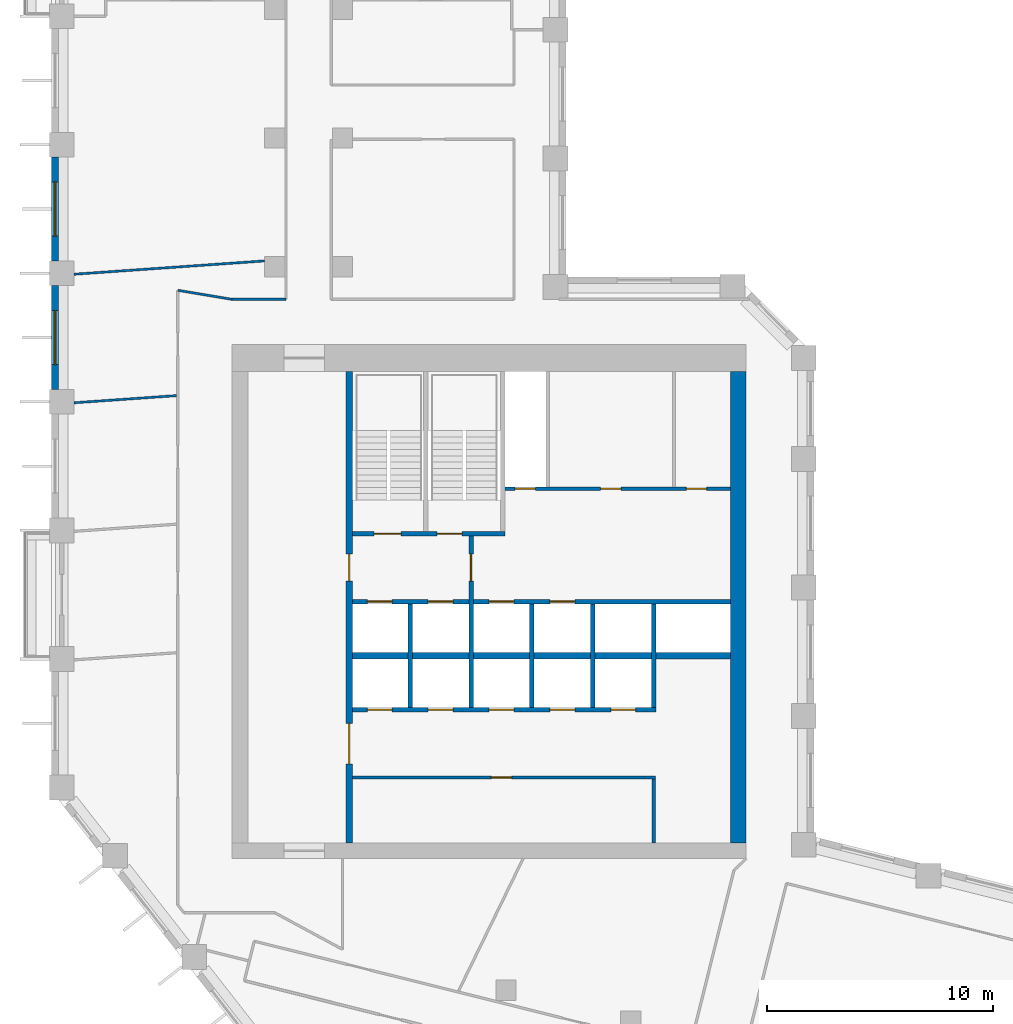
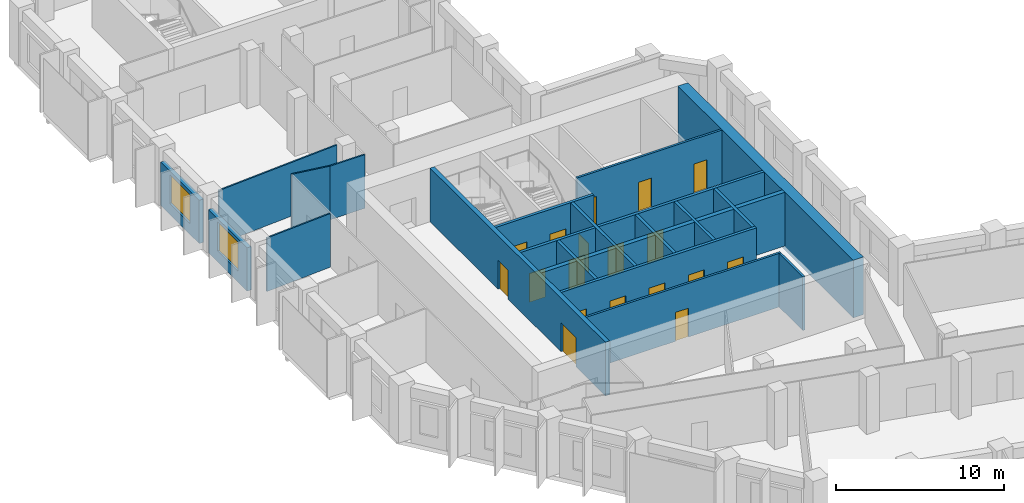
# One storey, part 5 of 10: 20 walls, 18 doors, 2 windows, 20 openings.
"""IFC4 building model written with IfcOpenShell, lengths in metres."""

from ifc_helpers import new_model, si_unit, direction, frame, frame_2d, origin, place, context, subcontext, project, spatial, rectangle, extrude, material, layer, layer_set, type_object, element, fill, save


model = new_model("IFC4")

# Units and contexts
model_context = context("Model", 3, precision=1e-05, world=origin(), true_north=direction((0.0, 1.0)))
body_context = subcontext(model_context, "Body", "Model", "MODEL_VIEW")
ifc_project = project(units=[si_unit("LENGTHUNIT", "METRE"), si_unit("AREAUNIT", "SQUARE_METRE"), si_unit("VOLUMEUNIT", "CUBIC_METRE"), si_unit("PLANEANGLEUNIT", "RADIAN"), si_unit("MASSUNIT", "GRAM", prefix="KILO")], contexts=[model_context])

# Site, building, storey
site_placement = place(None, origin())
site = spatial("IfcSite", under=ifc_project, at=site_placement, CompositionType="ELEMENT")
building_placement = place(site_placement, origin())
building = spatial("IfcBuilding", under=site, at=building_placement, Name="Meshkara Civic Tower", CompositionType="ELEMENT")
storey_placement = place(building_placement, frame((0.0, 0.0, 276.0)))
storey = spatial("IfcBuildingStorey", under=building, at=storey_placement, Name="L63", CompositionType="ELEMENT", Elevation=276.0)

# Wall, opening, door
ifc_material_1 = material(Name="Blockwork", Category="masonry")
ifc_layer_1 = layer(ifc_material_1, 0.14990234375)
ifc_layer_set_1 = layer_set([ifc_layer_1], Name="Core partition 150")
wall_type_1 = type_object("IfcWallType", Name="Core partition 150", PredefinedType="PARTITIONING", material=ifc_layer_set_1)
wall_1_placement = place(storey_placement, frame((13.35009765625, 17.699951171875, 0.0), z_axis=(0.0, 0.0, 1.0), x_axis=(1.0, 0.0, 0.0)))
wall_1 = element("IfcWall", 1, at=wall_1_placement, inside=storey, type_object=wall_type_1, Name="L63-C005", PredefinedType="PARTITIONING", context=body_context, shape_type="SweptSolid", body=[
    extrude(rectangle(XDim=13.4248046875, YDim=0.14990234375, at=frame_2d((6.71240234375, 0.0))), origin(), (0.0, 0.0, 1.0), 3.89990234375),
])
opening_1_placement = place(wall_1_placement, frame((6.14990234375, 0.0, 0.0)))
opening_1 = element("IfcOpeningElement", 2, at=opening_1_placement, cuts=wall_1, Name="Opening L63-K010", PredefinedType="OPENING", context=body_context, shape_type="SweptSolid", body=[
    extrude(rectangle(XDim=0.89990234375, YDim=2.10009765625, at=frame_2d((0.449951171875, 1.050048828125))), frame((0.0, 0.0849609375, 0.0), z_axis=(0.0, -1.0, 0.0), x_axis=(1.0, 0.0, 0.0)), (0.0, 0.0, 1.0), 0.169921875),
])
ifc_material_2 = material(Name="Timber door leaf in steel frame", Category="steel")
door_type_1 = type_object("IfcDoorType", Name="Core room door 900", OperationType="SINGLE_SWING_LEFT", PredefinedType="DOOR", material=ifc_material_2)
door_1_placement = place(opening_1_placement, origin())
door_1 = element("IfcDoor", 3, at=door_1_placement, inside=storey, type_object=door_type_1, Name="L63-K010", OperationType="SINGLE_SWING_LEFT", OverallHeight=2.10009765625, OverallWidth=0.89990234375, PredefinedType="DOOR", context=body_context, shape_type="SweptSolid", body=[
    extrude(rectangle(XDim=0.89990234375, YDim=2.10009765625, at=frame_2d((0.449951171875, 1.050048828125))), frame((0.0, 0.02490234375, 0.0), z_axis=(0.0, -1.0, 0.0), x_axis=(1.0, 0.0, 0.0)), (0.0, 0.0, 1.0), 0.050048828125),
])
fill(opening_1, door_1)

# Wall, openings, doors
wall_2_placement = place(storey_placement, frame((20.10009765625, 30.5, 0.0), z_axis=(0.0, 0.0, 1.0), x_axis=(1.0, 0.0, 0.0)))
wall_2 = element("IfcWall", 4, at=wall_2_placement, inside=storey, type_object=wall_type_1, Name="L63-C010", PredefinedType="PARTITIONING", context=body_context, shape_type="SweptSolid", body=[
    extrude(rectangle(XDim=10.0, YDim=0.14990234375, at=frame_2d((5.0, 0.0))), origin(), (0.0, 0.0, 1.0), 3.89990234375),
])
opening_2_placement = place(wall_2_placement, frame((0.449951171875, 0.0, 0.0)))
opening_2 = element("IfcOpeningElement", 5, at=opening_2_placement, cuts=wall_2, Name="Opening L63-K011", PredefinedType="OPENING", context=body_context, shape_type="SweptSolid", body=[
    extrude(rectangle(XDim=0.89990234375, YDim=2.10009765625, at=frame_2d((0.449951171875, 1.050048828125))), frame((0.0, 0.0849609375, 0.0), z_axis=(0.0, -1.0, 0.0), x_axis=(1.0, 0.0, 0.0)), (0.0, 0.0, 1.0), 0.169921875),
])
opening_3_placement = place(wall_2_placement, frame((4.25, 0.0, 0.0)))
opening_3 = element("IfcOpeningElement", 6, at=opening_3_placement, cuts=wall_2, Name="Opening L63-K012", PredefinedType="OPENING", context=body_context, shape_type="SweptSolid", body=[
    extrude(rectangle(XDim=0.89990234375, YDim=2.10009765625, at=frame_2d((0.449951171875, 1.050048828125))), frame((0.0, 0.0849609375, 0.0), z_axis=(0.0, -1.0, 0.0), x_axis=(1.0, 0.0, 0.0)), (0.0, 0.0, 1.0), 0.169921875),
])
opening_4_placement = place(wall_2_placement, frame((8.050048828125, 0.0, 0.0)))
opening_4 = element("IfcOpeningElement", 7, at=opening_4_placement, cuts=wall_2, Name="Opening L63-K013", PredefinedType="OPENING", context=body_context, shape_type="SweptSolid", body=[
    extrude(rectangle(XDim=0.89990234375, YDim=2.10009765625, at=frame_2d((0.449951171875, 1.050048828125))), frame((0.0, 0.0849609375, 0.0), z_axis=(0.0, -1.0, 0.0), x_axis=(1.0, 0.0, 0.0)), (0.0, 0.0, 1.0), 0.169921875),
])
door_2_placement = place(opening_3_placement, origin())
door_2 = element("IfcDoor", 8, at=door_2_placement, inside=storey, type_object=door_type_1, Name="L63-K012", OperationType="SINGLE_SWING_RIGHT", OverallHeight=2.10009765625, OverallWidth=0.89990234375, PredefinedType="DOOR", context=body_context, shape_type="SweptSolid", body=[
    extrude(rectangle(XDim=0.89990234375, YDim=2.10009765625, at=frame_2d((0.449951171875, 1.050048828125))), frame((0.0, 0.02490234375, 0.0), z_axis=(0.0, -1.0, 0.0), x_axis=(1.0, 0.0, 0.0)), (0.0, 0.0, 1.0), 0.050048828125),
])
fill(opening_3, door_2)
door_3_placement = place(opening_4_placement, origin())
door_3 = element("IfcDoor", 9, at=door_3_placement, inside=storey, type_object=door_type_1, Name="L63-K013", OperationType="SINGLE_SWING_RIGHT", OverallHeight=2.10009765625, OverallWidth=0.89990234375, PredefinedType="DOOR", context=body_context, shape_type="SweptSolid", body=[
    extrude(rectangle(XDim=0.89990234375, YDim=2.10009765625, at=frame_2d((0.449951171875, 1.050048828125))), frame((0.0, 0.02490234375, 0.0), z_axis=(0.0, -1.0, 0.0), x_axis=(1.0, 0.0, 0.0)), (0.0, 0.0, 1.0), 0.050048828125),
])
fill(opening_4, door_3)
ifc_material_3 = material(Name="Fire-rated door leaf in steel frame", Category="steel")
door_type_2 = type_object("IfcDoorType", Name="Riser door 900", OperationType="SINGLE_SWING_LEFT", PredefinedType="DOOR", material=ifc_material_3)
door_4_placement = place(opening_2_placement, origin())
door_4 = element("IfcDoor", 10, at=door_4_placement, inside=storey, type_object=door_type_2, Name="L63-K011", OperationType="SINGLE_SWING_RIGHT", OverallHeight=2.10009765625, OverallWidth=0.89990234375, PredefinedType="DOOR", context=body_context, shape_type="SweptSolid", body=[
    extrude(rectangle(XDim=0.89990234375, YDim=2.10009765625, at=frame_2d((0.449951171875, 1.050048828125))), frame((0.0, 0.02490234375, 0.0), z_axis=(0.0, -1.0, 0.0), x_axis=(1.0, 0.0, 0.0)), (0.0, 0.0, 1.0), 0.050048828125),
])
fill(opening_2, door_4)

# Walls
wall_3_placement = place(storey_placement, frame((26.699951171875, 14.800048828125, 0.0), z_axis=(0.0, 0.0, 1.0), x_axis=(0.0, 1.0, 0.0)))
element("IfcWall", 11, at=wall_3_placement, inside=storey, type_object=wall_type_1, Name="L63-C019", PredefinedType="PARTITIONING", context=body_context, shape_type="SweptSolid", body=[
    extrude(rectangle(XDim=2.824951171875, YDim=0.14990234375, at=frame_2d((1.41259765625, 0.0))), origin(), (0.0, 0.0, 1.0), 3.89990234375),
])
ifc_material_4 = material(Name="Concrete C60", Category="concrete")
ifc_layer_2 = layer(ifc_material_4, 0.699951171875)
ifc_layer_set_2 = layer_set([ifc_layer_2], Name="Core ring wall 700 C60")
wall_type_2 = type_object("IfcWallType", Name="Core ring wall 700 C60", PredefinedType="SHEAR", material=ifc_layer_set_2)
wall_4_placement = place(storey_placement, frame((30.449951171875, 14.800048828125, -0.300048828125), z_axis=(0.0, 0.0, 1.0), x_axis=(0.0, 1.0, 0.0)))
element("IfcWall", 12, at=wall_4_placement, inside=storey, type_object=wall_type_2, Name="L63-C004", PredefinedType="SHEAR", context=body_context, shape_type="SweptSolid", body=[
    extrude(rectangle(XDim=20.89990234375, YDim=0.699951171875, at=frame_2d((10.449951171875, 0.0))), origin(), (0.0, 0.0, 1.0), 4.199951171875),
])
ifc_material_5 = material(Name="Concrete C60", Category="concrete")
ifc_layer_3 = layer(ifc_material_5, 0.300048828125)
ifc_layer_set_3 = layer_set([ifc_layer_3], Name="Core shear wall 300 C60")
wall_type_3 = type_object("IfcWallType", Name="Core shear wall 300 C60", PredefinedType="SHEAR", material=ifc_layer_set_3)
wall_5_placement = place(storey_placement, frame((13.35009765625, 23.10009765625, 0.0), z_axis=(0.0, 0.0, 1.0), x_axis=(1.0, 0.0, 0.0)))
element("IfcWall", 13, at=wall_5_placement, inside=storey, type_object=wall_type_3, Name="L63-C007", PredefinedType="SHEAR", context=body_context, shape_type="SweptSolid", body=[
    extrude(rectangle(XDim=16.75, YDim=0.300048828125, at=frame_2d((8.375, 0.0))), origin(), (0.0, 0.0, 1.0), 3.89990234375),
])

# Wall, openings, doors
wall_6_placement = place(storey_placement, frame((13.199951171875, 14.800048828125, 0.0), z_axis=(0.0, 0.0, 1.0), x_axis=(0.0, 1.0, 0.0)))
wall_6 = element("IfcWall", 14, at=wall_6_placement, inside=storey, type_object=wall_type_3, Name="L63-C011", PredefinedType="SHEAR", context=body_context, shape_type="SweptSolid", body=[
    extrude(rectangle(XDim=20.89990234375, YDim=0.300048828125, at=frame_2d((10.449951171875, 0.0))), origin(), (0.0, 0.0, 1.0), 3.89990234375),
])
opening_5_placement = place(wall_6_placement, frame((3.5, 0.0, 0.0)))
opening_5 = element("IfcOpeningElement", 15, at=opening_5_placement, cuts=wall_6, Name="Opening L63-K016", PredefinedType="OPENING", context=body_context, shape_type="SweptSolid", body=[
    extrude(rectangle(XDim=1.800048828125, YDim=2.10009765625, at=frame_2d((0.89990234375, 1.050048828125))), frame((0.0, 0.159912109375, 0.0), z_axis=(0.0, -1.0, 0.0), x_axis=(1.0, 0.0, 0.0)), (0.0, 0.0, 1.0), 0.320068359375),
])
opening_6_placement = place(wall_6_placement, frame((11.60009765625, 0.0, 0.0)))
opening_6 = element("IfcOpeningElement", 16, at=opening_6_placement, cuts=wall_6, Name="Opening L63-K017", PredefinedType="OPENING", context=body_context, shape_type="SweptSolid", body=[
    extrude(rectangle(XDim=1.199951171875, YDim=2.10009765625, at=frame_2d((0.60009765625, 1.050048828125))), frame((0.0, 0.159912109375, 0.0), z_axis=(0.0, -1.0, 0.0), x_axis=(1.0, 0.0, 0.0)), (0.0, 0.0, 1.0), 0.320068359375),
])
ifc_material_6 = material(Name="Fire-rated door leaf in steel frame", Category="steel")
door_type_3 = type_object("IfcDoorType", Name="Core double door 1800 EI 60", OperationType="DOUBLE_DOOR_SINGLE_SWING", PredefinedType="DOOR", material=ifc_material_6)
door_5_placement = place(opening_5_placement, origin())
door_5 = element("IfcDoor", 17, at=door_5_placement, inside=storey, type_object=door_type_3, Name="L63-K016", OperationType="DOUBLE_DOOR_SINGLE_SWING", OverallHeight=2.10009765625, OverallWidth=1.800048828125, PredefinedType="DOOR", context=body_context, shape_type="SweptSolid", body=[
    extrude(rectangle(XDim=1.800048828125, YDim=2.10009765625, at=frame_2d((0.89990234375, 1.050048828125))), frame((0.0, 0.02490234375, 0.0), z_axis=(0.0, -1.0, 0.0), x_axis=(1.0, 0.0, 0.0)), (0.0, 0.0, 1.0), 0.050048828125),
])
fill(opening_5, door_5)
ifc_material_7 = material(Name="Fire-rated door leaf in steel frame", Category="steel")
door_type_4 = type_object("IfcDoorType", Name="Fire-fighting lobby door 1200 EI 120", OperationType="SINGLE_SWING_LEFT", PredefinedType="DOOR", material=ifc_material_7)
door_6_placement = place(opening_6_placement, origin())
door_6 = element("IfcDoor", 18, at=door_6_placement, inside=storey, type_object=door_type_4, Name="L63-K017", OperationType="SINGLE_SWING_LEFT", OverallHeight=2.10009765625, OverallWidth=1.199951171875, PredefinedType="DOOR", context=body_context, shape_type="SweptSolid", body=[
    extrude(rectangle(XDim=1.199951171875, YDim=2.10009765625, at=frame_2d((0.60009765625, 1.050048828125))), frame((0.0, 0.02490234375, 0.0), z_axis=(0.0, -1.0, 0.0), x_axis=(1.0, 0.0, 0.0)), (0.0, 0.0, 1.0), 0.050048828125),
])
fill(opening_6, door_6)

# Walls
ifc_material_8 = material(Name="Corridor wall 100")
ifc_layer_4 = layer(ifc_material_8, 0.10009765625)
ifc_layer_set_4 = layer_set([ifc_layer_4], Name="Corridor wall 100")
wall_type_4 = type_object("IfcWallType", Name="Corridor wall 100", PredefinedType="PARTITIONING", material=ifc_layer_set_4)
wall_7_placement = place(storey_placement, frame((8.0, 38.89990234375, 0.0), z_axis=(0.0, 0.0, 1.0), x_axis=(-0.986383073668, 0.16446407505, 0.0)))
element("IfcWall", 19, at=wall_7_placement, inside=storey, type_object=wall_type_4, Name="L63-W007", PredefinedType="PARTITIONING", context=body_context, shape_type="SweptSolid", body=[
    extrude(rectangle(XDim=2.43310546875, YDim=0.10009765625, at=frame_2d((1.216552734375, 0.0))), origin(), (0.0, 0.0, 1.0), 3.89990234375),
])
wall_8_placement = place(storey_placement, frame((10.39990234375, 38.89990234375, 0.0), z_axis=(0.0, 0.0, 1.0), x_axis=(-1.0, 0.0, 0.0)))
element("IfcWall", 20, at=wall_8_placement, inside=storey, type_object=wall_type_4, Name="L63-W012", PredefinedType="PARTITIONING", context=body_context, shape_type="SweptSolid", body=[
    extrude(rectangle(XDim=2.39990234375, YDim=0.10009765625, at=frame_2d((1.199951171875, 0.0))), origin(), (0.0, 0.0, 1.0), 3.89990234375),
])

# Wall, opening, window
ifc_material_9 = material(Name="Insulated infill panel with bronze anodised aluminium cladding", Category="aluminium")
ifc_layer_5 = layer(ifc_material_9, 0.300048828125)
ifc_layer_set_5 = layer_set([ifc_layer_5], Name="EXTERNAL INFILL WALL 300")
wall_type_5 = type_object("IfcWallType", Name="EXTERNAL INFILL WALL 300", PredefinedType="SOLIDWALL", material=ifc_layer_set_5)
wall_9_placement = place(storey_placement, frame((0.14990234375, 45.205078125, 0.0), z_axis=(0.0, 0.0, 1.0), x_axis=(0.0, -1.0, 0.0)))
wall_9 = element("IfcWall", 21, at=wall_9_placement, inside=storey, type_object=wall_type_5, Name="External wall", PredefinedType="SOLIDWALL", context=body_context, shape_type="SweptSolid", body=[
    extrude(rectangle(XDim=4.60009765625, YDim=0.300048828125, at=frame_2d((2.300048828125, 0.0))), origin(), (0.0, 0.0, 1.0), 3.14990234375),
])
opening_7_placement = place(wall_9_placement, frame((1.10009765625, 0.0, 0.800048828125)))
opening_7 = element("IfcOpeningElement", 22, at=opening_7_placement, cuts=wall_9, Name="Opening W7", PredefinedType="OPENING", context=body_context, shape_type="SweptSolid", body=[
    extrude(rectangle(XDim=2.39990234375, YDim=2.10009765625, at=frame_2d((1.199951171875, 1.050048828125))), frame((0.0, 0.159912109375, 0.0), z_axis=(0.0, -1.0, 0.0), x_axis=(1.0, 0.0, 0.0)), (0.0, 0.0, 1.0), 0.320068359375),
])
ifc_material_10 = material(Name="Tinted double glazing", Category="glass")
window_type = type_object("IfcWindowType", Name="WINDOW 2400x2100", PartitioningType="DOUBLE_PANEL_VERTICAL", PredefinedType="WINDOW", material=ifc_material_10)
window_1_placement = place(opening_7_placement, origin())
window_1 = element("IfcWindow", 23, at=window_1_placement, inside=storey, type_object=window_type, Name="Window", OverallHeight=2.10009765625, OverallWidth=2.39990234375, PartitioningType="DOUBLE_PANEL_VERTICAL", PredefinedType="WINDOW", context=body_context, shape_type="SweptSolid", body=[
    extrude(rectangle(XDim=2.39990234375, YDim=2.10009765625, at=frame_2d((1.199951171875, 1.050048828125))), frame((0.0, 0.030029296875, 0.0), z_axis=(0.0, -1.0, 0.0), x_axis=(1.0, 0.0, 0.0)), (0.0, 0.0, 1.0), 0.06005859375),
])
fill(opening_7, window_1)

wall_10_placement = place(storey_placement, frame((0.14990234375, 39.5048828125, 0.0), z_axis=(0.0, 0.0, 1.0), x_axis=(0.0, -1.0, 0.0)))
wall_10 = element("IfcWall", 24, at=wall_10_placement, inside=storey, type_object=wall_type_5, Name="External wall", PredefinedType="SOLIDWALL", context=body_context, shape_type="SweptSolid", body=[
    extrude(rectangle(XDim=4.599853515625, YDim=0.300048828125, at=frame_2d((2.2998046875, 0.0))), origin(), (0.0, 0.0, 1.0), 3.14990234375),
])
opening_8_placement = place(wall_10_placement, frame((1.10009765625, 0.0, 0.800048828125)))
opening_8 = element("IfcOpeningElement", 25, at=opening_8_placement, cuts=wall_10, Name="Opening W7", PredefinedType="OPENING", context=body_context, shape_type="SweptSolid", body=[
    extrude(rectangle(XDim=2.39990234375, YDim=2.10009765625, at=frame_2d((1.199951171875, 1.050048828125))), frame((0.0, 0.159912109375, 0.0), z_axis=(0.0, -1.0, 0.0), x_axis=(1.0, 0.0, 0.0)), (0.0, 0.0, 1.0), 0.320068359375),
])
window_2_placement = place(opening_8_placement, origin())
window_2 = element("IfcWindow", 26, at=window_2_placement, inside=storey, type_object=window_type, Name="Window", OverallHeight=2.10009765625, OverallWidth=2.39990234375, PartitioningType="DOUBLE_PANEL_VERTICAL", PredefinedType="WINDOW", context=body_context, shape_type="SweptSolid", body=[
    extrude(rectangle(XDim=2.39990234375, YDim=2.10009765625, at=frame_2d((1.199951171875, 1.050048828125))), frame((0.0, 0.030029296875, 0.0), z_axis=(0.0, -1.0, 0.0), x_axis=(1.0, 0.0, 0.0)), (0.0, 0.0, 1.0), 0.06005859375),
])
fill(opening_8, window_2)

# Walls
ifc_material_11 = material(Name="Partition 100")
ifc_layer_6 = layer(ifc_material_11, 0.10009765625)
ifc_layer_set_6 = layer_set([ifc_layer_6], Name="Partition 100")
wall_type_6 = type_object("IfcWallType", Name="Partition 100", PredefinedType="PARTITIONING", material=ifc_layer_set_6)
wall_11_placement = place(storey_placement, frame((5.547119140625, 34.631103515625, 0.0), z_axis=(0.0, 0.0, 1.0), x_axis=(-0.997561764549, -0.069789153246, 0.0)))
element("IfcWall", 27, at=wall_11_placement, inside=storey, type_object=wall_type_6, Name="L63-W045", PredefinedType="PARTITIONING", context=body_context, shape_type="SweptSolid", body=[
    extrude(rectangle(XDim=4.558349609375, YDim=0.10009765625, at=frame_2d((2.279296875, 0.0))), origin(), (0.0, 0.0, 1.0), 3.89990234375),
])
wall_12_placement = place(storey_placement, frame((9.449951171875, 40.60400390625, 0.0), z_axis=(0.0, 0.0, 1.0), x_axis=(-0.997562519498, -0.069778361206, 0.0)))
element("IfcWall", 28, at=wall_12_placement, inside=storey, type_object=wall_type_6, Name="L63-W048", PredefinedType="PARTITIONING", context=body_context, shape_type="SweptSolid", body=[
    extrude(rectangle(XDim=8.470703125, YDim=0.10009765625, at=frame_2d((4.2353515625, 0.0))), origin(), (0.0, 0.0, 1.0), 3.89990234375),
])

# Wall, openings, doors
ifc_material_12 = material(Name="Concrete C40/50", Category="concrete")
ifc_layer_7 = layer(ifc_material_12, 0.199951171875)
ifc_layer_set_7 = layer_set([ifc_layer_7], Name="Shaft wall 200 C40/50")
wall_type_7 = type_object("IfcWallType", Name="Shaft wall 200 C40/50", PredefinedType="SOLIDWALL", material=ifc_layer_set_7)
wall_13_placement = place(storey_placement, frame((13.35009765625, 20.699951171875, 0.0), z_axis=(0.0, 0.0, 1.0), x_axis=(1.0, 0.0, 0.0)))
wall_13 = element("IfcWall", 29, at=wall_13_placement, inside=storey, type_object=wall_type_7, Name="L63-C006", PredefinedType="SOLIDWALL", context=body_context, shape_type="SweptSolid", body=[
    extrude(rectangle(XDim=13.449951171875, YDim=0.199951171875, at=frame_2d((6.72509765625, 0.0))), origin(), (0.0, 0.0, 1.0), 3.89990234375),
])
opening_9_placement = place(wall_13_placement, frame((0.64990234375, 0.0, 0.0)))
opening_9 = element("IfcOpeningElement", 30, at=opening_9_placement, cuts=wall_13, Name="Opening L63-K001", PredefinedType="OPENING", context=body_context, shape_type="SweptSolid", body=[
    extrude(rectangle(XDim=1.10009765625, YDim=2.10009765625, at=frame_2d((0.550048828125, 1.050048828125))), frame((0.0, 0.10986328125, 0.0), z_axis=(0.0, -1.0, 0.0), x_axis=(1.0, 0.0, 0.0)), (0.0, 0.0, 1.0), 0.219970703125),
])
opening_10_placement = place(wall_13_placement, frame((3.35009765625, 0.0, 0.0)))
opening_10 = element("IfcOpeningElement", 31, at=opening_10_placement, cuts=wall_13, Name="Opening L63-K002", PredefinedType="OPENING", context=body_context, shape_type="SweptSolid", body=[
    extrude(rectangle(XDim=1.10009765625, YDim=2.10009765625, at=frame_2d((0.550048828125, 1.050048828125))), frame((0.0, 0.10986328125, 0.0), z_axis=(0.0, -1.0, 0.0), x_axis=(1.0, 0.0, 0.0)), (0.0, 0.0, 1.0), 0.219970703125),
])
opening_11_placement = place(wall_13_placement, frame((6.050048828125, 0.0, 0.0)))
opening_11 = element("IfcOpeningElement", 32, at=opening_11_placement, cuts=wall_13, Name="Opening L63-K003", PredefinedType="OPENING", context=body_context, shape_type="SweptSolid", body=[
    extrude(rectangle(XDim=1.10009765625, YDim=2.10009765625, at=frame_2d((0.550048828125, 1.050048828125))), frame((0.0, 0.10986328125, 0.0), z_axis=(0.0, -1.0, 0.0), x_axis=(1.0, 0.0, 0.0)), (0.0, 0.0, 1.0), 0.219970703125),
])
opening_12_placement = place(wall_13_placement, frame((8.75, 0.0, 0.0)))
opening_12 = element("IfcOpeningElement", 33, at=opening_12_placement, cuts=wall_13, Name="Opening L63-K004", PredefinedType="OPENING", context=body_context, shape_type="SweptSolid", body=[
    extrude(rectangle(XDim=1.10009765625, YDim=2.10009765625, at=frame_2d((0.550048828125, 1.050048828125))), frame((0.0, 0.10986328125, 0.0), z_axis=(0.0, -1.0, 0.0), x_axis=(1.0, 0.0, 0.0)), (0.0, 0.0, 1.0), 0.219970703125),
])
opening_13_placement = place(wall_13_placement, frame((11.449951171875, 0.0, 0.0)))
opening_13 = element("IfcOpeningElement", 34, at=opening_13_placement, cuts=wall_13, Name="Opening L63-K005", PredefinedType="OPENING", context=body_context, shape_type="SweptSolid", body=[
    extrude(rectangle(XDim=1.10009765625, YDim=2.10009765625, at=frame_2d((0.550048828125, 1.050048828125))), frame((0.0, 0.10986328125, 0.0), z_axis=(0.0, -1.0, 0.0), x_axis=(1.0, 0.0, 0.0)), (0.0, 0.0, 1.0), 0.219970703125),
])
ifc_material_13 = material(Name="Stainless steel landing door", Category="steel")
door_type_5 = type_object("IfcDoorType", Name="Lift landing door 1100", OperationType="SLIDING_TO_LEFT", PredefinedType="DOOR", material=ifc_material_13)
door_7_placement = place(opening_9_placement, origin())
door_7 = element("IfcDoor", 35, at=door_7_placement, inside=storey, type_object=door_type_5, Name="L63-K001", OperationType="SLIDING_TO_LEFT", OverallHeight=2.10009765625, OverallWidth=1.10009765625, PredefinedType="DOOR", context=body_context, shape_type="SweptSolid", body=[
    extrude(rectangle(XDim=1.10009765625, YDim=2.10009765625, at=frame_2d((0.550048828125, 1.050048828125))), frame((0.0, 0.02490234375, 0.0), z_axis=(0.0, -1.0, 0.0), x_axis=(1.0, 0.0, 0.0)), (0.0, 0.0, 1.0), 0.050048828125),
])
fill(opening_9, door_7)
door_8_placement = place(opening_10_placement, origin())
door_8 = element("IfcDoor", 36, at=door_8_placement, inside=storey, type_object=door_type_5, Name="L63-K002", OperationType="SLIDING_TO_LEFT", OverallHeight=2.10009765625, OverallWidth=1.10009765625, PredefinedType="DOOR", context=body_context, shape_type="SweptSolid", body=[
    extrude(rectangle(XDim=1.10009765625, YDim=2.10009765625, at=frame_2d((0.550048828125, 1.050048828125))), frame((0.0, 0.02490234375, 0.0), z_axis=(0.0, -1.0, 0.0), x_axis=(1.0, 0.0, 0.0)), (0.0, 0.0, 1.0), 0.050048828125),
])
fill(opening_10, door_8)
door_9_placement = place(opening_11_placement, origin())
door_9 = element("IfcDoor", 37, at=door_9_placement, inside=storey, type_object=door_type_5, Name="L63-K003", OperationType="SLIDING_TO_LEFT", OverallHeight=2.10009765625, OverallWidth=1.10009765625, PredefinedType="DOOR", context=body_context, shape_type="SweptSolid", body=[
    extrude(rectangle(XDim=1.10009765625, YDim=2.10009765625, at=frame_2d((0.550048828125, 1.050048828125))), frame((0.0, 0.02490234375, 0.0), z_axis=(0.0, -1.0, 0.0), x_axis=(1.0, 0.0, 0.0)), (0.0, 0.0, 1.0), 0.050048828125),
])
fill(opening_11, door_9)
door_10_placement = place(opening_12_placement, origin())
door_10 = element("IfcDoor", 38, at=door_10_placement, inside=storey, type_object=door_type_5, Name="L63-K004", OperationType="SLIDING_TO_LEFT", OverallHeight=2.10009765625, OverallWidth=1.10009765625, PredefinedType="DOOR", context=body_context, shape_type="SweptSolid", body=[
    extrude(rectangle(XDim=1.10009765625, YDim=2.10009765625, at=frame_2d((0.550048828125, 1.050048828125))), frame((0.0, 0.02490234375, 0.0), z_axis=(0.0, -1.0, 0.0), x_axis=(1.0, 0.0, 0.0)), (0.0, 0.0, 1.0), 0.050048828125),
])
fill(opening_12, door_10)
door_11_placement = place(opening_13_placement, origin())
door_11 = element("IfcDoor", 39, at=door_11_placement, inside=storey, type_object=door_type_5, Name="L63-K005", OperationType="SLIDING_TO_LEFT", OverallHeight=2.10009765625, OverallWidth=1.10009765625, PredefinedType="DOOR", context=body_context, shape_type="SweptSolid", body=[
    extrude(rectangle(XDim=1.10009765625, YDim=2.10009765625, at=frame_2d((0.550048828125, 1.050048828125))), frame((0.0, 0.02490234375, 0.0), z_axis=(0.0, -1.0, 0.0), x_axis=(1.0, 0.0, 0.0)), (0.0, 0.0, 1.0), 0.050048828125),
])
fill(opening_13, door_11)

wall_14_placement = place(storey_placement, frame((13.35009765625, 25.5, 0.0), z_axis=(0.0, 0.0, 1.0), x_axis=(1.0, 0.0, 0.0)))
wall_14 = element("IfcWall", 40, at=wall_14_placement, inside=storey, type_object=wall_type_7, Name="L63-C008", PredefinedType="SOLIDWALL", context=body_context, shape_type="SweptSolid", body=[
    extrude(rectangle(XDim=16.75, YDim=0.199951171875, at=frame_2d((8.375, 0.0))), origin(), (0.0, 0.0, 1.0), 3.89990234375),
])
opening_14_placement = place(wall_14_placement, frame((0.64990234375, 0.0, 0.0)))
opening_14 = element("IfcOpeningElement", 41, at=opening_14_placement, cuts=wall_14, Name="Opening L63-K006", PredefinedType="OPENING", context=body_context, shape_type="SweptSolid", body=[
    extrude(rectangle(XDim=1.10009765625, YDim=2.10009765625, at=frame_2d((0.550048828125, 1.050048828125))), frame((0.0, 0.10986328125, 0.0), z_axis=(0.0, -1.0, 0.0), x_axis=(1.0, 0.0, 0.0)), (0.0, 0.0, 1.0), 0.219970703125),
])
opening_15_placement = place(wall_14_placement, frame((3.35009765625, 0.0, 0.0)))
opening_15 = element("IfcOpeningElement", 42, at=opening_15_placement, cuts=wall_14, Name="Opening L63-K007", PredefinedType="OPENING", context=body_context, shape_type="SweptSolid", body=[
    extrude(rectangle(XDim=1.10009765625, YDim=2.10009765625, at=frame_2d((0.550048828125, 1.050048828125))), frame((0.0, 0.10986328125, 0.0), z_axis=(0.0, -1.0, 0.0), x_axis=(1.0, 0.0, 0.0)), (0.0, 0.0, 1.0), 0.219970703125),
])
opening_16_placement = place(wall_14_placement, frame((6.050048828125, 0.0, 0.0)))
opening_16 = element("IfcOpeningElement", 43, at=opening_16_placement, cuts=wall_14, Name="Opening L63-K008", PredefinedType="OPENING", context=body_context, shape_type="SweptSolid", body=[
    extrude(rectangle(XDim=1.10009765625, YDim=2.10009765625, at=frame_2d((0.550048828125, 1.050048828125))), frame((0.0, 0.10986328125, 0.0), z_axis=(0.0, -1.0, 0.0), x_axis=(1.0, 0.0, 0.0)), (0.0, 0.0, 1.0), 0.219970703125),
])
opening_17_placement = place(wall_14_placement, frame((8.75, 0.0, 0.0)))
opening_17 = element("IfcOpeningElement", 44, at=opening_17_placement, cuts=wall_14, Name="Opening L63-K009", PredefinedType="OPENING", context=body_context, shape_type="SweptSolid", body=[
    extrude(rectangle(XDim=1.10009765625, YDim=2.10009765625, at=frame_2d((0.550048828125, 1.050048828125))), frame((0.0, 0.10986328125, 0.0), z_axis=(0.0, -1.0, 0.0), x_axis=(1.0, 0.0, 0.0)), (0.0, 0.0, 1.0), 0.219970703125),
])
door_12_placement = place(opening_14_placement, origin())
door_12 = element("IfcDoor", 45, at=door_12_placement, inside=storey, type_object=door_type_5, Name="L63-K006", OperationType="SLIDING_TO_LEFT", OverallHeight=2.10009765625, OverallWidth=1.10009765625, PredefinedType="DOOR", context=body_context, shape_type="SweptSolid", body=[
    extrude(rectangle(XDim=1.10009765625, YDim=2.10009765625, at=frame_2d((0.550048828125, 1.050048828125))), frame((0.0, 0.02490234375, 0.0), z_axis=(0.0, -1.0, 0.0), x_axis=(1.0, 0.0, 0.0)), (0.0, 0.0, 1.0), 0.050048828125),
])
fill(opening_14, door_12)
door_13_placement = place(opening_15_placement, origin())
door_13 = element("IfcDoor", 46, at=door_13_placement, inside=storey, type_object=door_type_5, Name="L63-K007", OperationType="SLIDING_TO_LEFT", OverallHeight=2.10009765625, OverallWidth=1.10009765625, PredefinedType="DOOR", context=body_context, shape_type="SweptSolid", body=[
    extrude(rectangle(XDim=1.10009765625, YDim=2.10009765625, at=frame_2d((0.550048828125, 1.050048828125))), frame((0.0, 0.02490234375, 0.0), z_axis=(0.0, -1.0, 0.0), x_axis=(1.0, 0.0, 0.0)), (0.0, 0.0, 1.0), 0.050048828125),
])
fill(opening_15, door_13)
door_14_placement = place(opening_16_placement, origin())
door_14 = element("IfcDoor", 47, at=door_14_placement, inside=storey, type_object=door_type_5, Name="L63-K008", OperationType="SLIDING_TO_LEFT", OverallHeight=2.10009765625, OverallWidth=1.10009765625, PredefinedType="DOOR", context=body_context, shape_type="SweptSolid", body=[
    extrude(rectangle(XDim=1.10009765625, YDim=2.10009765625, at=frame_2d((0.550048828125, 1.050048828125))), frame((0.0, 0.02490234375, 0.0), z_axis=(0.0, -1.0, 0.0), x_axis=(1.0, 0.0, 0.0)), (0.0, 0.0, 1.0), 0.050048828125),
])
fill(opening_16, door_14)
door_15_placement = place(opening_17_placement, origin())
door_15 = element("IfcDoor", 48, at=door_15_placement, inside=storey, type_object=door_type_5, Name="L63-K009", OperationType="SLIDING_TO_LEFT", OverallHeight=2.10009765625, OverallWidth=1.10009765625, PredefinedType="DOOR", context=body_context, shape_type="SweptSolid", body=[
    extrude(rectangle(XDim=1.10009765625, YDim=2.10009765625, at=frame_2d((0.550048828125, 1.050048828125))), frame((0.0, 0.02490234375, 0.0), z_axis=(0.0, -1.0, 0.0), x_axis=(1.0, 0.0, 0.0)), (0.0, 0.0, 1.0), 0.050048828125),
])
fill(opening_17, door_15)

# Wall
wall_15_placement = place(storey_placement, frame((15.89990234375, 20.800048828125, 0.0), z_axis=(0.0, 0.0, 1.0), x_axis=(0.0, 1.0, 0.0)))
element("IfcWall", 49, at=wall_15_placement, inside=storey, type_object=wall_type_7, Name="L63-C012", PredefinedType="SOLIDWALL", context=body_context, shape_type="SweptSolid", body=[
    extrude(rectangle(XDim=4.599853515625, YDim=0.199951171875, at=frame_2d((2.2998046875, 0.0))), origin(), (0.0, 0.0, 1.0), 3.89990234375),
])

# Wall, opening, door
wall_16_placement = place(storey_placement, frame((18.60009765625, 20.800048828125, 0.0), z_axis=(0.0, 0.0, 1.0), x_axis=(0.0, 1.0, 0.0)))
wall_16 = element("IfcWall", 50, at=wall_16_placement, inside=storey, type_object=wall_type_7, Name="L63-C014", PredefinedType="SOLIDWALL", context=body_context, shape_type="SweptSolid", body=[
    extrude(rectangle(XDim=7.599853515625, YDim=0.199951171875, at=frame_2d((3.7998046875, 0.0))), origin(), (0.0, 0.0, 1.0), 3.89990234375),
])
opening_18_placement = place(wall_16_placement, frame((5.60009765625, 0.0, 0.0)))
opening_18 = element("IfcOpeningElement", 51, at=opening_18_placement, cuts=wall_16, Name="Opening L63-K018", PredefinedType="OPENING", context=body_context, shape_type="SweptSolid", body=[
    extrude(rectangle(XDim=1.199951171875, YDim=2.10009765625, at=frame_2d((0.60009765625, 1.050048828125))), frame((0.0, 0.10986328125, 0.0), z_axis=(0.0, -1.0, 0.0), x_axis=(1.0, 0.0, 0.0)), (0.0, 0.0, 1.0), 0.219970703125),
])
door_16_placement = place(opening_18_placement, origin())
door_16 = element("IfcDoor", 52, at=door_16_placement, inside=storey, type_object=door_type_4, Name="L63-K018", OperationType="SINGLE_SWING_RIGHT", OverallHeight=2.10009765625, OverallWidth=1.199951171875, PredefinedType="DOOR", context=body_context, shape_type="SweptSolid", body=[
    extrude(rectangle(XDim=1.199951171875, YDim=2.10009765625, at=frame_2d((0.60009765625, 1.050048828125))), frame((0.0, 0.02490234375, 0.0), z_axis=(0.0, -1.0, 0.0), x_axis=(1.0, 0.0, 0.0)), (0.0, 0.0, 1.0), 0.050048828125),
])
fill(opening_18, door_16)

# Walls
for number, where, z_axis, x_axis, name in (
    (53, (21.300048828125, 20.800048828125, 0.0), (0.0, 0.0, 1.0), (0.0, 1.0, 0.0), "L63-C016"),
    (54, (24.0, 20.800048828125, 0.0), (0.0, 0.0, 1.0), (0.0, 1.0, 0.0), "L63-C018"),
    (55, (26.699951171875, 20.800048828125, 0.0), (0.0, 0.0, 1.0), (0.0, 1.0, 0.0), "L63-C020"),
):
    element("IfcWall", number, at=place(storey_placement, frame(where, z_axis=z_axis, x_axis=x_axis)), inside=storey, type_object=wall_type_7, Name=name, PredefinedType="SOLIDWALL", context=body_context, shape_type="SweptSolid", body=[
        extrude(rectangle(XDim=4.599853515625, YDim=0.199951171875, at=frame_2d((2.2998046875, 0.0))), origin(), (0.0, 0.0, 1.0), 3.89990234375),
    ])

# Wall, openings, doors
ifc_material_14 = material(Name="Concrete C40/50", Category="concrete")
ifc_layer_8 = layer(ifc_material_14, 0.199951171875)
ifc_layer_set_8 = layer_set([ifc_layer_8], Name="Stair enclosure wall 200 C40/50")
wall_type_8 = type_object("IfcWallType", Name="Stair enclosure wall 200 C40/50", PredefinedType="SOLIDWALL", material=ifc_layer_set_8)
wall_17_placement = place(storey_placement, frame((13.35009765625, 28.5, 0.0), z_axis=(0.0, 0.0, 1.0), x_axis=(1.0, 0.0, 0.0)))
wall_17 = element("IfcWall", 56, at=wall_17_placement, inside=storey, type_object=wall_type_8, Name="L63-C009", PredefinedType="SOLIDWALL", context=body_context, shape_type="SweptSolid", body=[
    extrude(rectangle(XDim=6.75, YDim=0.199951171875, at=frame_2d((3.375, 0.0))), origin(), (0.0, 0.0, 1.0), 3.89990234375),
])
opening_19_placement = place(wall_17_placement, frame((0.949951171875, 0.0, 0.0)))
opening_19 = element("IfcOpeningElement", 57, at=opening_19_placement, cuts=wall_17, Name="Opening L63-K014", PredefinedType="OPENING", context=body_context, shape_type="SweptSolid", body=[
    extrude(rectangle(XDim=1.199951171875, YDim=2.10009765625, at=frame_2d((0.60009765625, 1.050048828125))), frame((0.0, 0.10986328125, 0.0), z_axis=(0.0, -1.0, 0.0), x_axis=(1.0, 0.0, 0.0)), (0.0, 0.0, 1.0), 0.219970703125),
])
opening_20_placement = place(wall_17_placement, frame((3.75, 0.0, 0.0)))
opening_20 = element("IfcOpeningElement", 58, at=opening_20_placement, cuts=wall_17, Name="Opening L63-K015", PredefinedType="OPENING", context=body_context, shape_type="SweptSolid", body=[
    extrude(rectangle(XDim=1.10009765625, YDim=2.10009765625, at=frame_2d((0.550048828125, 1.050048828125))), frame((0.0, 0.10986328125, 0.0), z_axis=(0.0, -1.0, 0.0), x_axis=(1.0, 0.0, 0.0)), (0.0, 0.0, 1.0), 0.219970703125),
])
ifc_material_15 = material(Name="Fire-rated door leaf in steel frame", Category="steel")
door_type_6 = type_object("IfcDoorType", Name="Stair door 1100 EI 120", OperationType="SINGLE_SWING_LEFT", PredefinedType="DOOR", material=ifc_material_15)
door_17_placement = place(opening_20_placement, origin())
door_17 = element("IfcDoor", 59, at=door_17_placement, inside=storey, type_object=door_type_6, Name="L63-K015", OperationType="SINGLE_SWING_LEFT", OverallHeight=2.10009765625, OverallWidth=1.10009765625, PredefinedType="DOOR", context=body_context, shape_type="SweptSolid", body=[
    extrude(rectangle(XDim=1.10009765625, YDim=2.10009765625, at=frame_2d((0.550048828125, 1.050048828125))), frame((0.0, 0.02490234375, 0.0), z_axis=(0.0, -1.0, 0.0), x_axis=(1.0, 0.0, 0.0)), (0.0, 0.0, 1.0), 0.050048828125),
])
fill(opening_20, door_17)
ifc_material_16 = material(Name="Fire-rated door leaf in steel frame", Category="steel")
door_type_7 = type_object("IfcDoorType", Name="Stair door 1200 EI 120", OperationType="SINGLE_SWING_LEFT", PredefinedType="DOOR", material=ifc_material_16)
door_18_placement = place(opening_19_placement, origin())
door_18 = element("IfcDoor", 60, at=door_18_placement, inside=storey, type_object=door_type_7, Name="L63-K014", OperationType="SINGLE_SWING_RIGHT", OverallHeight=2.10009765625, OverallWidth=1.199951171875, PredefinedType="DOOR", context=body_context, shape_type="SweptSolid", body=[
    extrude(rectangle(XDim=1.199951171875, YDim=2.10009765625, at=frame_2d((0.60009765625, 1.050048828125))), frame((0.0, 0.02490234375, 0.0), z_axis=(0.0, -1.0, 0.0), x_axis=(1.0, 0.0, 0.0)), (0.0, 0.0, 1.0), 0.050048828125),
])
fill(opening_19, door_18)

save(model, "model.ifc")
